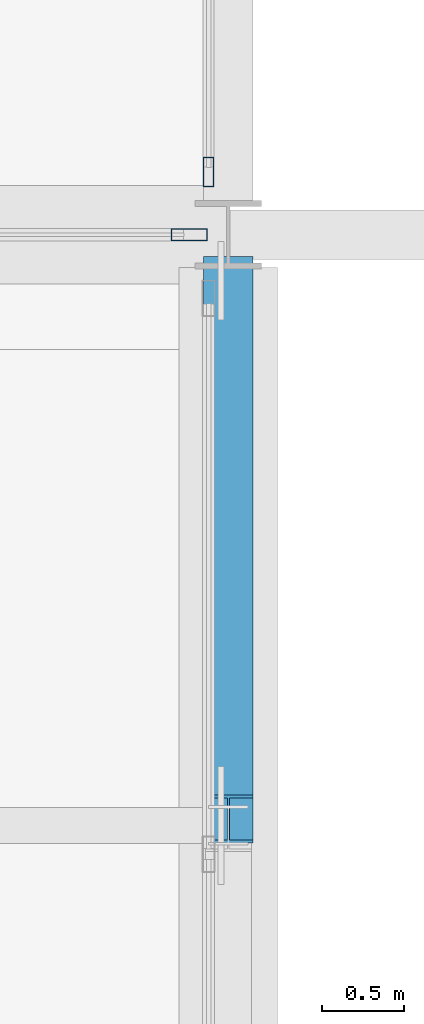
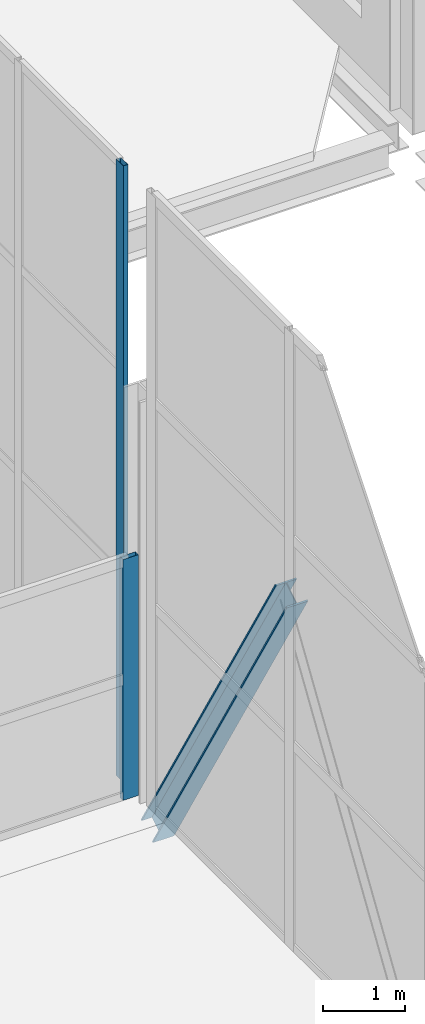
# One storey, part 111 of 191: 3 members, 2 elements without a shape of their own.
"""IFC4 building model written with IfcOpenShell, lengths in metres."""

from ifc_helpers import new_model, si_unit, direction, frame, origin, origin_2d, place, context, subcontext, project, spatial, hollow_rectangle, i_section, extrude, material, layer, layer_set, material_profile, profile_set, type_object, element, aggregate, save


model = new_model("IFC4")

# Units and contexts
model_context = context("Model", 3, precision=1e-05, world=origin(), true_north=direction((0.0, 1.0)))
body_context = subcontext(model_context, "Body", "Model", "MODEL_VIEW")
ifc_project = project(units=[si_unit("LENGTHUNIT", "METRE"), si_unit("AREAUNIT", "SQUARE_METRE"), si_unit("VOLUMEUNIT", "CUBIC_METRE"), si_unit("PLANEANGLEUNIT", "RADIAN"), si_unit("MASSUNIT", "GRAM", prefix="KILO")], contexts=[model_context])

# Site, building, storey
site_placement = place(None, origin())
site = spatial("IfcSite", under=ifc_project, at=site_placement, CompositionType="ELEMENT")
building_placement = place(site_placement, origin())
building = spatial("IfcBuilding", under=site, at=building_placement, Name="Tamarisk Ironworks Central Station", CompositionType="ELEMENT")
storey_placement = place(building_placement, frame((0.0, 0.0, 6.60009765625)))
storey = spatial("IfcBuildingStorey", under=building, at=storey_placement, Name="L01", CompositionType="ELEMENT", Elevation=6.60009765625)

# Curtain wall, member
ifc_material_1 = material(Name="Anodized aluminium alloy 6063-T6", Category="aluminium")
ifc_layer_1 = layer(ifc_material_1, 0.179931640625)
ifc_layer_set_1 = layer_set([ifc_layer_1], Name="Anodized aluminium alloy 6063-T6")
curtain_wall_type_1 = type_object("IfcCurtainWallType", Name="CW-24", PredefinedType="USERDEFINED", material=ifc_layer_set_1)
curtain_wall_1_placement = place(storey_placement, origin())
curtain_wall_1 = element("IfcCurtainWall", 1, at=curtain_wall_1_placement, inside=storey, type_object=curtain_wall_type_1, Name="North bridge east glazed acoustic screen", ObjectType="GLAZED CURTAIN WALL", PredefinedType="USERDEFINED")
ifc_material_profile_1 = material_profile(ifc_material_1, hollow_rectangle(XDim=0.074951171875, YDim=0.219970703125, WallThickness=0.00390625, at=origin_2d()), Name="ALUM 220x75")
ifc_profile_set_1 = profile_set([ifc_material_profile_1], Name="Anodized aluminium alloy 6063-T6")
member_type_1 = type_object("IfcMemberType", Name="CWM-01", PredefinedType="MULLION", material=ifc_profile_set_1)
member_1_placement = place(storey_placement, frame((107.761474609375, 79.199951171875, 0.0), z_axis=(0.0, 0.0, 1.0), x_axis=(0.0, 1.0, 0.0)))
member_1 = element("IfcMember", 2, at=member_1_placement, type_object=member_type_1, Name="CW24 mullion 5", PredefinedType="MULLION", context=body_context, shape_type="SweptSolid", body=[
    extrude(hollow_rectangle(XDim=0.074951171875, YDim=0.219970703125, WallThickness=0.00390625, at=origin_2d()), origin(), (0.0, 0.0, 1.0), 3.599853515625),
])
aggregate(curtain_wall_1, [member_1])

ifc_layer_2 = layer(ifc_material_1, 0.179931640625)
ifc_layer_set_2 = layer_set([ifc_layer_2], Name="Anodized aluminium alloy 6063-T6")
curtain_wall_type_2 = type_object("IfcCurtainWallType", Name="CW-07", PredefinedType="USERDEFINED", material=ifc_layer_set_2)
curtain_wall_2_placement = place(storey_placement, origin())
curtain_wall_2 = element("IfcCurtainWall", 3, at=curtain_wall_2_placement, inside=storey, type_object=curtain_wall_type_2, Name="Concourse E track-overlook curtain wall 06", ObjectType="GLAZED CURTAIN WALL", PredefinedType="USERDEFINED")
ifc_material_profile_2 = material_profile(ifc_material_1, hollow_rectangle(XDim=0.06494140625, YDim=0.179931640625, WallThickness=0.00390625, at=origin_2d()), Name="ALUM 180x65")
ifc_profile_set_2 = profile_set([ifc_material_profile_2], Name="Anodized aluminium alloy 6063-T6")
member_type_2 = type_object("IfcMemberType", Name="CWM-02", PredefinedType="MULLION", material=ifc_profile_set_2)
member_2_placement = place(storey_placement, frame((107.8798828125, 79.58251953125, 0.0), z_axis=(0.0, 0.0, 1.0), x_axis=(-1.0, 0.0, 0.0)))
member_2 = element("IfcMember", 4, at=member_2_placement, type_object=member_type_2, Name="CW07 mullion 1", PredefinedType="MULLION", context=body_context, shape_type="SweptSolid", body=[
    extrude(hollow_rectangle(XDim=0.06494140625, YDim=0.179931640625, WallThickness=0.00390625, at=origin_2d()), origin(), (0.0, 0.0, 1.0), 9.219970703125),
])
aggregate(curtain_wall_2, [member_2])

# Member
ifc_material_2 = material(Name="Structural steel S355J2", Category="steel")
ifc_material_profile_3 = material_profile(ifc_material_2, i_section(OverallWidth=0.300048828125, OverallDepth=0.340087890625, WebThickness=0.011962890625, FlangeThickness=0.021484375, at=origin_2d()), Name="HEB 340")
ifc_profile_set_3 = profile_set([ifc_material_profile_3], Name="Structural steel S355J2")
member_type_3 = type_object("IfcMemberType", Name="MB-TTD01", PredefinedType="BRACE", material=ifc_profile_set_3)
member_3_placement = place(storey_placement, frame((108.0, 75.639892578125, 5.119873046875), z_axis=(0.0, 0.512200847378, -0.858865700762), x_axis=(-1.0, 0.0, 0.0)))
element("IfcMember", 5, at=member_3_placement, inside=storey, type_object=member_type_3, Name="Transfer truss diagonal 111", PredefinedType="BRACE", context=body_context, shape_type="SweptSolid", body=[
    extrude(i_section(OverallWidth=0.300048828125, OverallDepth=0.340087890625, WebThickness=0.011962890625, FlangeThickness=0.021484375, at=origin_2d()), origin(), (0.0, 0.0, 1.0), 6.40380859375),
])

save(model, "model.ifc")
